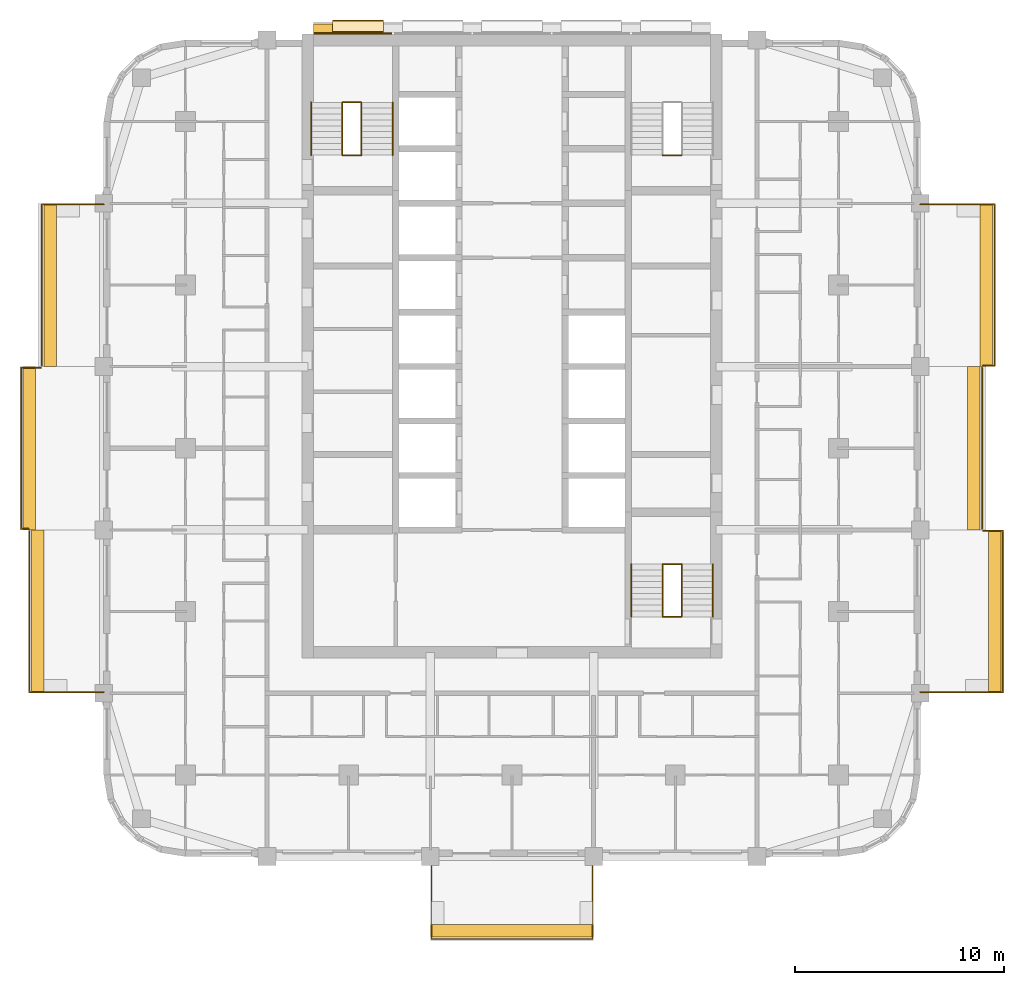
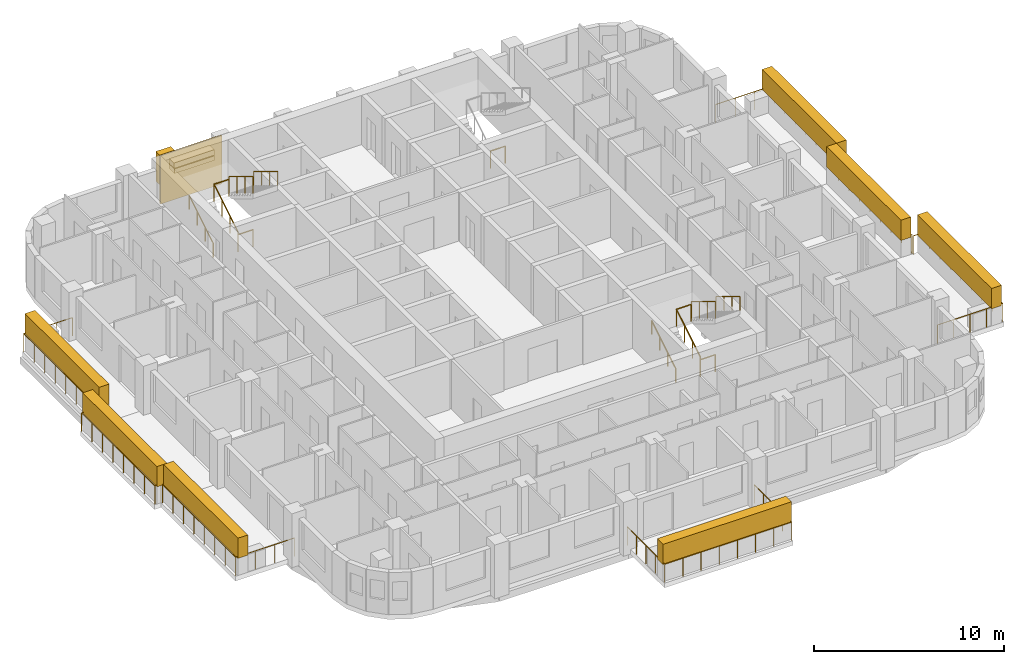
# One storey, part 13 of 14: 20 railings, 11 coverings, 3 elements without a shape of their own.
"""IFC4 building model written with IfcOpenShell, lengths in metres."""

from ifc_helpers import new_model, si_unit, direction, frame, origin, origin_2d, place, context, subcontext, project, spatial, rectangle, circle, extrude, material, layer, layer_set, type_object, element, aggregate, save


model = new_model("IFC4")

# Units and contexts
model_context = context("Model", 3, precision=1e-05, world=origin(), true_north=direction((0.0, 1.0)))
body_context = subcontext(model_context, "Body", "Model", "MODEL_VIEW")
ifc_project = project(units=[si_unit("LENGTHUNIT", "METRE"), si_unit("AREAUNIT", "SQUARE_METRE"), si_unit("VOLUMEUNIT", "CUBIC_METRE"), si_unit("PLANEANGLEUNIT", "RADIAN"), si_unit("MASSUNIT", "GRAM", prefix="KILO")], contexts=[model_context])

# Site, building, storey
site_placement = place(None, origin())
site = spatial("IfcSite", under=ifc_project, at=site_placement, CompositionType="ELEMENT")
building_placement = place(site_placement, origin())
building = spatial("IfcBuilding", under=site, at=building_placement, Name="Ludao Terraces", CompositionType="ELEMENT")
storey_placement = place(building_placement, frame((0.0, 0.0, 99.89990234375)))
storey = spatial("IfcBuildingStorey", under=building, at=storey_placement, Name="L27", CompositionType="ELEMENT", Elevation=99.89990234375)

# Railings
ifc_material_1 = material(Name="Stainless steel 304", Category="steel")
railing_type_1 = type_object("IfcRailingType", Name="ENV Balcony glass guard 1200", PredefinedType="GUARDRAIL", material=ifc_material_1)
railing_1_placement = place(storey_placement, frame((81.14990234375, 45.5, 0.0)))
element("IfcRailing", 1, at=railing_1_placement, inside=storey, type_object=railing_type_1, Name="Balcony guard L27 S1", PredefinedType="GUARDRAIL", context=body_context, shape_type="SweptSolid", body=[
    extrude(circle(Radius=0.02392578125, at=origin_2d()), frame((0.0, 0.0, 1.17578125), z_axis=(0.0, -1.0, 0.0), x_axis=(1.0, 0.0, 0.0)), (0.0, 0.0, 1.0), 3.949951171875),
    extrude(circle(Radius=0.02392578125, at=origin_2d()), frame((0.0, -3.949951171875, 1.17578125), z_axis=(1.0, 0.0, 0.0), x_axis=(0.0, 1.0, 0.0)), (0.0, 0.0, 1.0), 7.7001953125),
    extrude(circle(Radius=0.02392578125, at=origin_2d()), frame((7.7001953125, -3.949951171875, 1.17578125), z_axis=(0.0, 1.0, 0.0), x_axis=(-1.0, 0.0, 0.0)), (0.0, 0.0, 1.0), 3.949951171875),
    extrude(circle(Radius=0.02099609375, at=origin_2d()), origin(), (0.0, 0.0, 1.0), 1.15185546875),
    extrude(circle(Radius=0.02099609375, at=origin_2d()), frame((0.0, -0.987548828125, 0.0)), (0.0, 0.0, 1.0), 1.15185546875),
    extrude(circle(Radius=0.02099609375, at=origin_2d()), frame((0.0, -1.97509765625, 0.0)), (0.0, 0.0, 1.0), 1.15185546875),
    extrude(circle(Radius=0.02099609375, at=origin_2d()), frame((0.0, -2.96240234375, 0.0)), (0.0, 0.0, 1.0), 1.15185546875),
    extrude(circle(Radius=0.02099609375, at=origin_2d()), frame((0.0, -3.949951171875, 0.0)), (0.0, 0.0, 1.0), 1.15185546875),
    extrude(circle(Radius=0.02099609375, at=origin_2d()), frame((1.10009765625, -3.949951171875, 0.0)), (0.0, 0.0, 1.0), 1.15185546875),
    extrude(circle(Radius=0.02099609375, at=origin_2d()), frame((2.199951171875, -3.949951171875, 0.0)), (0.0, 0.0, 1.0), 1.15185546875),
    extrude(circle(Radius=0.02099609375, at=origin_2d()), frame((3.300048828125, -3.949951171875, 0.0)), (0.0, 0.0, 1.0), 1.15185546875),
    extrude(circle(Radius=0.02099609375, at=origin_2d()), frame((4.400146484375, -3.949951171875, 0.0)), (0.0, 0.0, 1.0), 1.15185546875),
    extrude(circle(Radius=0.02099609375, at=origin_2d()), frame((5.500244140625, -3.949951171875, 0.0)), (0.0, 0.0, 1.0), 1.15185546875),
    extrude(circle(Radius=0.02099609375, at=origin_2d()), frame((6.60009765625, -3.949951171875, 0.0)), (0.0, 0.0, 1.0), 1.15185546875),
    extrude(circle(Radius=0.02099609375, at=origin_2d()), frame((7.7001953125, -3.949951171875, 0.0)), (0.0, 0.0, 1.0), 1.15185546875),
    extrude(circle(Radius=0.02099609375, at=origin_2d()), frame((7.7001953125, -2.96240234375, 0.0)), (0.0, 0.0, 1.0), 1.15185546875),
    extrude(circle(Radius=0.02099609375, at=origin_2d()), frame((7.7001953125, -1.97509765625, 0.0)), (0.0, 0.0, 1.0), 1.15185546875),
    extrude(circle(Radius=0.02099609375, at=origin_2d()), frame((7.7001953125, -0.987548828125, 0.0)), (0.0, 0.0, 1.0), 1.15185546875),
    extrude(circle(Radius=0.02099609375, at=origin_2d()), frame((7.7001953125, 0.0, 0.0)), (0.0, 0.0, 1.0), 1.15185546875),
])
railing_2_placement = place(storey_placement, frame((104.5, 53.35009765625, 0.0)))
element("IfcRailing", 2, at=railing_2_placement, inside=storey, type_object=railing_type_1, Name="Balcony guard L27 E1", PredefinedType="GUARDRAIL", context=body_context, shape_type="SweptSolid", body=[
    extrude(circle(Radius=0.02392578125, at=origin_2d()), frame((0.0, 0.0, 1.17578125), z_axis=(1.0, 0.0, 0.0), x_axis=(0.0, 1.0, 0.0)), (0.0, 0.0, 1.0), 3.949951171875),
    extrude(circle(Radius=0.02392578125, at=origin_2d()), frame((3.949951171875, 0.0, 1.17578125), z_axis=(0.0, 1.0, 0.0), x_axis=(-1.0, 0.0, 0.0)), (0.0, 0.0, 1.0), 7.699951171875),
    extrude(circle(Radius=0.02392578125, at=origin_2d()), frame((3.949951171875, 7.699951171875, 1.17578125), z_axis=(-1.0, 0.0, 0.0), x_axis=(0.0, -1.0, 0.0)), (0.0, 0.0, 1.0), 0.949951171875),
    extrude(circle(Radius=0.02099609375, at=origin_2d()), origin(), (0.0, 0.0, 1.0), 1.15185546875),
    extrude(circle(Radius=0.02099609375, at=origin_2d()), frame((0.987548828125, 0.0, 0.0)), (0.0, 0.0, 1.0), 1.15185546875),
    extrude(circle(Radius=0.02099609375, at=origin_2d()), frame((1.97509765625, 0.0, 0.0)), (0.0, 0.0, 1.0), 1.15185546875),
    extrude(circle(Radius=0.02099609375, at=origin_2d()), frame((2.96240234375, 0.0, 0.0)), (0.0, 0.0, 1.0), 1.15185546875),
    extrude(circle(Radius=0.02099609375, at=origin_2d()), frame((3.949951171875, 0.0, 0.0)), (0.0, 0.0, 1.0), 1.15185546875),
    extrude(circle(Radius=0.02099609375, at=origin_2d()), frame((3.949951171875, 1.10009765625, 0.0)), (0.0, 0.0, 1.0), 1.15185546875),
    extrude(circle(Radius=0.02099609375, at=origin_2d()), frame((3.949951171875, 2.199951171875, 0.0)), (0.0, 0.0, 1.0), 1.15185546875),
    extrude(circle(Radius=0.02099609375, at=origin_2d()), frame((3.949951171875, 3.300048828125, 0.0)), (0.0, 0.0, 1.0), 1.15185546875),
    extrude(circle(Radius=0.02099609375, at=origin_2d()), frame((3.949951171875, 4.39990234375, 0.0)), (0.0, 0.0, 1.0), 1.15185546875),
    extrude(circle(Radius=0.02099609375, at=origin_2d()), frame((3.949951171875, 5.5, 0.0)), (0.0, 0.0, 1.0), 1.15185546875),
    extrude(circle(Radius=0.02099609375, at=origin_2d()), frame((3.949951171875, 6.599853515625, 0.0)), (0.0, 0.0, 1.0), 1.15185546875),
    extrude(circle(Radius=0.02099609375, at=origin_2d()), frame((3.949951171875, 7.699951171875, 0.0)), (0.0, 0.0, 1.0), 1.15185546875),
    extrude(circle(Radius=0.02099609375, at=origin_2d()), frame((3.0, 7.699951171875, 0.0)), (0.0, 0.0, 1.0), 1.15185546875),
])
railing_3_placement = place(storey_placement, frame((107.449951171875, 61.14990234375, 0.0)))
element("IfcRailing", 3, at=railing_3_placement, inside=storey, type_object=railing_type_1, Name="Balcony guard L27 E2", PredefinedType="GUARDRAIL", context=body_context, shape_type="SweptSolid", body=[
    extrude(circle(Radius=0.02392578125, at=origin_2d()), frame((0.0, 0.0, 1.17578125), z_axis=(0.0, 1.0, 0.0), x_axis=(-1.0, 0.0, 0.0)), (0.0, 0.0, 1.0), 7.7001953125),
    extrude(circle(Radius=0.02099609375, at=origin_2d()), origin(), (0.0, 0.0, 1.0), 1.15185546875),
    extrude(circle(Radius=0.02099609375, at=origin_2d()), frame((0.0, 1.10009765625, 0.0)), (0.0, 0.0, 1.0), 1.15185546875),
    extrude(circle(Radius=0.02099609375, at=origin_2d()), frame((0.0, 2.199951171875, 0.0)), (0.0, 0.0, 1.0), 1.15185546875),
    extrude(circle(Radius=0.02099609375, at=origin_2d()), frame((0.0, 3.300048828125, 0.0)), (0.0, 0.0, 1.0), 1.15185546875),
    extrude(circle(Radius=0.02099609375, at=origin_2d()), frame((0.0, 4.400146484375, 0.0)), (0.0, 0.0, 1.0), 1.15185546875),
    extrude(circle(Radius=0.02099609375, at=origin_2d()), frame((0.0, 5.500244140625, 0.0)), (0.0, 0.0, 1.0), 1.15185546875),
    extrude(circle(Radius=0.02099609375, at=origin_2d()), frame((0.0, 6.60009765625, 0.0)), (0.0, 0.0, 1.0), 1.15185546875),
    extrude(circle(Radius=0.02099609375, at=origin_2d()), frame((0.0, 7.7001953125, 0.0)), (0.0, 0.0, 1.0), 1.15185546875),
])
railing_4_placement = place(storey_placement, frame((107.5, 68.949951171875, 0.0)))
element("IfcRailing", 4, at=railing_4_placement, inside=storey, type_object=railing_type_1, Name="Balcony guard L27 E3", PredefinedType="GUARDRAIL", context=body_context, shape_type="SweptSolid", body=[
    extrude(circle(Radius=0.02392578125, at=origin_2d()), frame((0.0, 0.0, 1.17578125), z_axis=(1.0, 0.0, 0.0), x_axis=(0.0, 1.0, 0.0)), (0.0, 0.0, 1.0), 0.550048828125),
    extrude(circle(Radius=0.02392578125, at=origin_2d()), frame((0.550048828125, 0.0, 1.17578125), z_axis=(0.0, 1.0, 0.0), x_axis=(-1.0, 0.0, 0.0)), (0.0, 0.0, 1.0), 7.699951171875),
    extrude(circle(Radius=0.02392578125, at=origin_2d()), frame((0.550048828125, 7.699951171875, 1.17578125), z_axis=(-1.0, 0.0, 0.0), x_axis=(0.0, -1.0, 0.0)), (0.0, 0.0, 1.0), 3.550048828125),
    extrude(circle(Radius=0.02099609375, at=origin_2d()), origin(), (0.0, 0.0, 1.0), 1.15185546875),
    extrude(circle(Radius=0.02099609375, at=origin_2d()), frame((0.550048828125, 0.0, 0.0)), (0.0, 0.0, 1.0), 1.15185546875),
    extrude(circle(Radius=0.02099609375, at=origin_2d()), frame((0.550048828125, 1.10009765625, 0.0)), (0.0, 0.0, 1.0), 1.15185546875),
    extrude(circle(Radius=0.02099609375, at=origin_2d()), frame((0.550048828125, 2.199951171875, 0.0)), (0.0, 0.0, 1.0), 1.15185546875),
    extrude(circle(Radius=0.02099609375, at=origin_2d()), frame((0.550048828125, 3.300048828125, 0.0)), (0.0, 0.0, 1.0), 1.15185546875),
    extrude(circle(Radius=0.02099609375, at=origin_2d()), frame((0.550048828125, 4.39990234375, 0.0)), (0.0, 0.0, 1.0), 1.15185546875),
    extrude(circle(Radius=0.02099609375, at=origin_2d()), frame((0.550048828125, 5.5, 0.0)), (0.0, 0.0, 1.0), 1.15185546875),
    extrude(circle(Radius=0.02099609375, at=origin_2d()), frame((0.550048828125, 6.599853515625, 0.0)), (0.0, 0.0, 1.0), 1.15185546875),
    extrude(circle(Radius=0.02099609375, at=origin_2d()), frame((0.550048828125, 7.699951171875, 0.0)), (0.0, 0.0, 1.0), 1.15185546875),
    extrude(circle(Radius=0.02099609375, at=origin_2d()), frame((-0.63330078125, 7.699951171875, 0.0)), (0.0, 0.0, 1.0), 1.15185546875),
    extrude(circle(Radius=0.02099609375, at=origin_2d()), frame((-1.816650390625, 7.699951171875, 0.0)), (0.0, 0.0, 1.0), 1.15185546875),
    extrude(circle(Radius=0.02099609375, at=origin_2d()), frame((-3.0, 7.699951171875, 0.0)), (0.0, 0.0, 1.0), 1.15185546875),
])
railing_5_placement = place(storey_placement, frame((65.5, 53.35009765625, 0.0)))
element("IfcRailing", 5, at=railing_5_placement, inside=storey, type_object=railing_type_1, Name="Balcony guard L27 W1", PredefinedType="GUARDRAIL", context=body_context, shape_type="SweptSolid", body=[
    extrude(circle(Radius=0.02392578125, at=origin_2d()), frame((0.0, 0.0, 1.17578125), z_axis=(-1.0, 0.0, 0.0), x_axis=(0.0, -1.0, 0.0)), (0.0, 0.0, 1.0), 3.550048828125),
    extrude(circle(Radius=0.02392578125, at=origin_2d()), frame((-3.550048828125, 0.0, 1.17578125), z_axis=(0.0, 1.0, 0.0), x_axis=(-1.0, 0.0, 0.0)), (0.0, 0.0, 1.0), 7.699951171875),
    extrude(circle(Radius=0.02099609375, at=origin_2d()), origin(), (0.0, 0.0, 1.0), 1.15185546875),
    extrude(circle(Radius=0.02099609375, at=origin_2d()), frame((-1.183349609375, 0.0, 0.0)), (0.0, 0.0, 1.0), 1.15185546875),
    extrude(circle(Radius=0.02099609375, at=origin_2d()), frame((-2.36669921875, 0.0, 0.0)), (0.0, 0.0, 1.0), 1.15185546875),
    extrude(circle(Radius=0.02099609375, at=origin_2d()), frame((-3.550048828125, 0.0, 0.0)), (0.0, 0.0, 1.0), 1.15185546875),
    extrude(circle(Radius=0.02099609375, at=origin_2d()), frame((-3.550048828125, 1.10009765625, 0.0)), (0.0, 0.0, 1.0), 1.15185546875),
    extrude(circle(Radius=0.02099609375, at=origin_2d()), frame((-3.550048828125, 2.199951171875, 0.0)), (0.0, 0.0, 1.0), 1.15185546875),
    extrude(circle(Radius=0.02099609375, at=origin_2d()), frame((-3.550048828125, 3.300048828125, 0.0)), (0.0, 0.0, 1.0), 1.15185546875),
    extrude(circle(Radius=0.02099609375, at=origin_2d()), frame((-3.550048828125, 4.39990234375, 0.0)), (0.0, 0.0, 1.0), 1.15185546875),
    extrude(circle(Radius=0.02099609375, at=origin_2d()), frame((-3.550048828125, 5.5, 0.0)), (0.0, 0.0, 1.0), 1.15185546875),
    extrude(circle(Radius=0.02099609375, at=origin_2d()), frame((-3.550048828125, 6.599853515625, 0.0)), (0.0, 0.0, 1.0), 1.15185546875),
    extrude(circle(Radius=0.02099609375, at=origin_2d()), frame((-3.550048828125, 7.699951171875, 0.0)), (0.0, 0.0, 1.0), 1.15185546875),
])
railing_6_placement = place(storey_placement, frame((61.89990234375, 61.14990234375, 0.0)))
element("IfcRailing", 6, at=railing_6_placement, inside=storey, type_object=railing_type_1, Name="Balcony guard L27 W2", PredefinedType="GUARDRAIL", context=body_context, shape_type="SweptSolid", body=[
    extrude(circle(Radius=0.02392578125, at=origin_2d()), frame((0.0, 0.0, 1.17578125), z_axis=(-1.0, 0.0, 0.0), x_axis=(0.0, -1.0, 0.0)), (0.0, 0.0, 1.0), 0.349853515625),
    extrude(circle(Radius=0.02392578125, at=origin_2d()), frame((-0.349853515625, 0.0, 1.17578125), z_axis=(0.0, 1.0, 0.0), x_axis=(-1.0, 0.0, 0.0)), (0.0, 0.0, 1.0), 7.7001953125),
    extrude(circle(Radius=0.02392578125, at=origin_2d()), frame((-0.349853515625, 7.7001953125, 1.17578125), z_axis=(1.0, 0.0, 0.0), x_axis=(0.0, 1.0, 0.0)), (0.0, 0.0, 1.0), 0.949951171875),
    extrude(circle(Radius=0.02099609375, at=origin_2d()), origin(), (0.0, 0.0, 1.0), 1.15185546875),
    extrude(circle(Radius=0.02099609375, at=origin_2d()), frame((-0.349853515625, 0.0, 0.0)), (0.0, 0.0, 1.0), 1.15185546875),
    extrude(circle(Radius=0.02099609375, at=origin_2d()), frame((-0.349853515625, 1.10009765625, 0.0)), (0.0, 0.0, 1.0), 1.15185546875),
    extrude(circle(Radius=0.02099609375, at=origin_2d()), frame((-0.349853515625, 2.199951171875, 0.0)), (0.0, 0.0, 1.0), 1.15185546875),
    extrude(circle(Radius=0.02099609375, at=origin_2d()), frame((-0.349853515625, 3.300048828125, 0.0)), (0.0, 0.0, 1.0), 1.15185546875),
    extrude(circle(Radius=0.02099609375, at=origin_2d()), frame((-0.349853515625, 4.400146484375, 0.0)), (0.0, 0.0, 1.0), 1.15185546875),
    extrude(circle(Radius=0.02099609375, at=origin_2d()), frame((-0.349853515625, 5.500244140625, 0.0)), (0.0, 0.0, 1.0), 1.15185546875),
    extrude(circle(Radius=0.02099609375, at=origin_2d()), frame((-0.349853515625, 6.60009765625, 0.0)), (0.0, 0.0, 1.0), 1.15185546875),
    extrude(circle(Radius=0.02099609375, at=origin_2d()), frame((-0.349853515625, 7.7001953125, 0.0)), (0.0, 0.0, 1.0), 1.15185546875),
    extrude(circle(Radius=0.02099609375, at=origin_2d()), frame((0.60009765625, 7.7001953125, 0.0)), (0.0, 0.0, 1.0), 1.15185546875),
])
railing_7_placement = place(storey_placement, frame((62.550048828125, 68.949951171875, 0.0)))
element("IfcRailing", 7, at=railing_7_placement, inside=storey, type_object=railing_type_1, Name="Balcony guard L27 W3", PredefinedType="GUARDRAIL", context=body_context, shape_type="SweptSolid", body=[
    extrude(circle(Radius=0.02392578125, at=origin_2d()), frame((0.0, 0.0, 1.17578125), z_axis=(0.0, 1.0, 0.0), x_axis=(-1.0, 0.0, 0.0)), (0.0, 0.0, 1.0), 7.699951171875),
    extrude(circle(Radius=0.02392578125, at=origin_2d()), frame((0.0, 7.699951171875, 1.17578125), z_axis=(1.0, 0.0, 0.0), x_axis=(0.0, 1.0, 0.0)), (0.0, 0.0, 1.0), 2.949951171875),
    extrude(circle(Radius=0.02099609375, at=origin_2d()), origin(), (0.0, 0.0, 1.0), 1.15185546875),
    extrude(circle(Radius=0.02099609375, at=origin_2d()), frame((0.0, 1.10009765625, 0.0)), (0.0, 0.0, 1.0), 1.15185546875),
    extrude(circle(Radius=0.02099609375, at=origin_2d()), frame((0.0, 2.199951171875, 0.0)), (0.0, 0.0, 1.0), 1.15185546875),
    extrude(circle(Radius=0.02099609375, at=origin_2d()), frame((0.0, 3.300048828125, 0.0)), (0.0, 0.0, 1.0), 1.15185546875),
    extrude(circle(Radius=0.02099609375, at=origin_2d()), frame((0.0, 4.39990234375, 0.0)), (0.0, 0.0, 1.0), 1.15185546875),
    extrude(circle(Radius=0.02099609375, at=origin_2d()), frame((0.0, 5.5, 0.0)), (0.0, 0.0, 1.0), 1.15185546875),
    extrude(circle(Radius=0.02099609375, at=origin_2d()), frame((0.0, 6.599853515625, 0.0)), (0.0, 0.0, 1.0), 1.15185546875),
    extrude(circle(Radius=0.02099609375, at=origin_2d()), frame((0.0, 7.699951171875, 0.0)), (0.0, 0.0, 1.0), 1.15185546875),
    extrude(circle(Radius=0.02099609375, at=origin_2d()), frame((0.9833984375, 7.699951171875, 0.0)), (0.0, 0.0, 1.0), 1.15185546875),
    extrude(circle(Radius=0.02099609375, at=origin_2d()), frame((1.966552734375, 7.699951171875, 0.0)), (0.0, 0.0, 1.0), 1.15185546875),
    extrude(circle(Radius=0.02099609375, at=origin_2d()), frame((2.949951171875, 7.699951171875, 0.0)), (0.0, 0.0, 1.0), 1.15185546875),
])

# Coverings
ifc_material_2 = material(Name="Granite cladding", Category="masonry")
ifc_layer_1 = layer(ifc_material_2, 0.39990234375)
ifc_layer_set_1 = layer_set([ifc_layer_1], Name="ENV Core pilaster stone 400")
covering_type_1 = type_object("IfcCoveringType", Name="ENV Core pilaster stone 400", PredefinedType="CLADDING", material=ifc_layer_set_1)
covering_1_placement = place(storey_placement, frame((75.97509765625, 85.054931640625, 1.2001953125), z_axis=(0.0, 0.0, 1.0), x_axis=(1.0, 0.0, 0.0)))
element("IfcCovering", 8, at=covering_1_placement, inside=storey, type_object=covering_type_1, Name="CC-L27-PIL1", PredefinedType="CLADDING", context=body_context, shape_type="SweptSolid", body=[
    extrude(rectangle(XDim=0.89990234375, YDim=0.39990234375, at=origin_2d()), origin(), (0.0, 0.0, 1.0), 1.89990234375),
])
ifc_layer_2 = layer(ifc_material_2, 0.60009765625)
ifc_layer_set_2 = layer_set([ifc_layer_2], Name="ENV Core planting shelf stone 600")
covering_type_2 = type_object("IfcCoveringType", Name="ENV Core planting shelf stone 600", PredefinedType="CLADDING", material=ifc_layer_set_2)
covering_2_placement = place(storey_placement, frame((77.64501953125, 85.155029296875, 1.60009765625), z_axis=(0.0, 0.0, 1.0), x_axis=(1.0, 0.0, 0.0)))
element("IfcCovering", 9, at=covering_2_placement, inside=storey, type_object=covering_type_2, Name="CC-L27-SHELF1", PredefinedType="CLADDING", context=body_context, shape_type="SweptSolid", body=[
    extrude(rectangle(XDim=2.43994140625, YDim=0.60009765625, at=origin_2d()), origin(), (0.0, 0.0, 1.0), 0.300048828125),
])
ifc_layer_3 = layer(ifc_material_2, 0.080078125)
ifc_layer_set_3 = layer_set([ifc_layer_3], Name="ENV Core stone cladding panel 80")
covering_type_3 = type_object("IfcCoveringType", Name="ENV Core stone cladding panel 80", PredefinedType="CLADDING", material=ifc_layer_set_3)
covering_3_placement = place(storey_placement, frame((77.39501953125, 84.81494140625, 0.0), z_axis=(0.0, 0.0, 1.0), x_axis=(1.0, 0.0, 0.0)))
element("IfcCovering", 10, at=covering_3_placement, inside=storey, type_object=covering_type_3, Name="CC-L27-CORE1", PredefinedType="CLADDING", context=body_context, shape_type="SweptSolid", body=[
    extrude(rectangle(XDim=3.739990234375, YDim=0.080078125, at=origin_2d()), origin(), (0.0, 0.0, 1.0), 3.10009765625),
])
ifc_material_3 = material(Name="Planting")
ifc_layer_4 = layer(ifc_material_3, 0.60009765625)
ifc_layer_set_4 = layer_set([ifc_layer_4], Name="ENV Planting hedge 600x1300")
covering_type_4 = type_object("IfcCoveringType", Name="ENV Planting hedge 600x1300", PredefinedType="USERDEFINED", material=ifc_layer_set_4)
covering_4_placement = place(storey_placement, frame((85.0, 41.949951171875, 1.10009765625), z_axis=(0.0, 0.0, 1.0), x_axis=(1.0, 0.0, 0.0)))
element("IfcCovering", 11, at=covering_4_placement, inside=storey, type_object=covering_type_4, Name="Planting hedge L27-S1", ObjectType="PLANTING", PredefinedType="USERDEFINED", context=body_context, shape_type="SweptSolid", body=[
    extrude(rectangle(XDim=7.800048828125, YDim=0.60009765625, at=origin_2d()), origin(), (0.0, 0.0, 1.0), 1.300048828125),
])
for number, where, z_axis, x_axis, name in (
    (12, (108.050048828125, 57.199951171875, 1.10009765625), (0.0, 0.0, 1.0), (1.0, 0.0, 0.0), "Planting hedge L27-E1"),
    (13, (107.050048828125, 65.0, 1.10009765625), (0.0, 0.0, 1.0), (1.0, 0.0, 0.0), "Planting hedge L27-E2"),
    (14, (107.64990234375, 72.800048828125, 1.10009765625), (0.0, 0.0, 1.0), (1.0, 0.0, 0.0), "Planting hedge L27-E3"),
    (15, (62.35009765625, 57.199951171875, 1.10009765625), (0.0, 0.0, 1.0), (1.0, 0.0, 0.0), "Planting hedge L27-W1"),
    (16, (61.949951171875, 65.0, 1.10009765625), (0.0, 0.0, 1.0), (1.0, 0.0, 0.0), "Planting hedge L27-W2"),
    (17, (62.949951171875, 72.800048828125, 1.10009765625), (0.0, 0.0, 1.0), (1.0, 0.0, 0.0), "Planting hedge L27-W3"),
):
    element("IfcCovering", number, at=place(storey_placement, frame(where, z_axis=z_axis, x_axis=x_axis)), inside=storey, type_object=covering_type_4, Name=name, ObjectType="PLANTING", PredefinedType="USERDEFINED", context=body_context, shape_type="SweptSolid", body=[
        extrude(rectangle(XDim=0.60009765625, YDim=7.800048828125, at=origin_2d()), origin(), (0.0, 0.0, 1.0), 1.300048828125),
    ])
ifc_layer_5 = layer(ifc_material_3, 0.5)
ifc_layer_set_5 = layer_set([ifc_layer_5], Name="ENV Shelf planting bed 350")
covering_type_5 = type_object("IfcCoveringType", Name="ENV Shelf planting bed 350", PredefinedType="USERDEFINED", material=ifc_layer_set_5)
covering_5_placement = place(storey_placement, frame((77.64501953125, 85.155029296875, 1.900146484375), z_axis=(0.0, 0.0, 1.0), x_axis=(1.0, 0.0, 0.0)))
element("IfcCovering", 18, at=covering_5_placement, inside=storey, type_object=covering_type_5, Name="Shelf planting bed L27 1", ObjectType="PLANTING", PredefinedType="USERDEFINED", context=body_context, shape_type="SweptSolid", body=[
    extrude(rectangle(XDim=2.43994140625, YDim=0.5, at=origin_2d()), origin(), (0.0, 0.0, 1.0), 0.35009765625),
])

# Stair, railings
ifc_material_4 = material(Name="Concrete C40", Category="concrete")
stair_type = type_object("IfcStairType", Name="INT Stair", PredefinedType="HALF_TURN_STAIR", material=ifc_material_4)
stair_1_placement = place(storey_placement, origin())
stair_1 = element("IfcStair", 19, at=stair_1_placement, inside=storey, type_object=stair_type, Name="EXIT STAIR 1", PredefinedType="HALF_TURN_STAIR")
railing_type_2 = type_object("IfcRailingType", Name="INT Stair guard 1100", PredefinedType="GUARDRAIL", material=ifc_material_1)
railing_8_placement = place(storey_placement, frame((76.89990234375, 79.0, 0.170166015625)))
railing_8 = element("IfcRailing", 20, at=railing_8_placement, type_object=railing_type_2, Name="ST-L27-S1-R1G", PredefinedType="GUARDRAIL", context=body_context, shape_type="SweptSolid", body=[
    extrude(circle(Radius=0.02392578125, at=origin_2d()), frame((0.0, 0.0, 1.076171875), z_axis=(0.0, 0.85478489116, 0.518982456201), x_axis=(-1.0, 0.0, 0.0)), (0.0, 0.0, 1.0), 2.9482421875),
    extrude(circle(Radius=0.02099609375, at=origin_2d()), origin(), (0.0, 0.0, 1.0), 1.052001953125),
    extrude(circle(Radius=0.02099609375, at=origin_2d()), frame((0.0, 0.840087890625, 0.510009765625)), (0.0, 0.0, 1.0), 1.052001953125),
    extrude(circle(Radius=0.02099609375, at=origin_2d()), frame((0.0, 1.679931640625, 1.02001953125)), (0.0, 0.0, 1.0), 1.052001953125),
    extrude(circle(Radius=0.02099609375, at=origin_2d()), frame((0.0, 2.52001953125, 1.530029296875)), (0.0, 0.0, 1.0), 1.052001953125),
])
railing_9_placement = place(storey_placement, frame((77.800048828125, 81.52001953125, 1.8701171875)))
railing_9 = element("IfcRailing", 21, at=railing_9_placement, type_object=railing_type_2, Name="ST-L27-S1-R2G", PredefinedType="GUARDRAIL", context=body_context, shape_type="SweptSolid", body=[
    extrude(circle(Radius=0.02392578125, at=origin_2d()), frame((0.0, 0.0, 1.076171875), z_axis=(0.0, -0.85478489116, 0.518982456201), x_axis=(1.0, 0.0, 0.0)), (0.0, 0.0, 1.0), 2.9482421875),
    extrude(circle(Radius=0.02099609375, at=origin_2d()), origin(), (0.0, 0.0, 1.0), 1.052001953125),
    extrude(circle(Radius=0.02099609375, at=origin_2d()), frame((0.0, -0.840087890625, 0.510009765625)), (0.0, 0.0, 1.0), 1.052001953125),
    extrude(circle(Radius=0.02099609375, at=origin_2d()), frame((0.0, -1.679931640625, 1.02001953125)), (0.0, 0.0, 1.0), 1.052001953125),
    extrude(circle(Radius=0.02099609375, at=origin_2d()), frame((0.0, -2.52001953125, 1.530029296875)), (0.0, 0.0, 1.0), 1.052001953125),
])
railing_10_placement = place(storey_placement, frame((76.89990234375, 81.52001953125, 1.7001953125)))
railing_10 = element("IfcRailing", 22, at=railing_10_placement, type_object=railing_type_2, Name="ST-L27-S1-E1G", PredefinedType="GUARDRAIL", context=body_context, shape_type="SweptSolid", body=[
    extrude(circle(Radius=0.02392578125, at=origin_2d()), frame((0.0, 0.0, 1.076171875), z_axis=(1.0, 0.0, 0.0), x_axis=(0.0, 1.0, 0.0)), (0.0, 0.0, 1.0), 0.900146484375),
    extrude(circle(Radius=0.02099609375, at=origin_2d()), origin(), (0.0, 0.0, 1.0), 1.052001953125),
    extrude(circle(Radius=0.02099609375, at=origin_2d()), frame((0.900146484375, 0.0, 0.0)), (0.0, 0.0, 1.0), 1.052001953125),
])
railing_11_placement = place(storey_placement, frame((76.89990234375, 79.0, 0.0)))
railing_11 = element("IfcRailing", 23, at=railing_11_placement, type_object=railing_type_2, Name="ST-L27-S1-E2G", PredefinedType="GUARDRAIL", context=body_context, shape_type="SweptSolid", body=[
    extrude(circle(Radius=0.02392578125, at=origin_2d()), frame((0.0, 0.0, 1.076171875), z_axis=(1.0, 0.0, 0.0), x_axis=(0.0, 1.0, 0.0)), (0.0, 0.0, 1.0), 0.900146484375),
    extrude(circle(Radius=0.02099609375, at=origin_2d()), origin(), (0.0, 0.0, 1.0), 1.052001953125),
    extrude(circle(Radius=0.02099609375, at=origin_2d()), frame((0.900146484375, 0.0, 0.0)), (0.0, 0.0, 1.0), 1.052001953125),
])

# Stair, railing
stair_2_placement = place(storey_placement, origin())
stair_2 = element("IfcStair", 24, at=stair_2_placement, inside=storey, type_object=stair_type, Name="EXIT STAIR 2", PredefinedType="HALF_TURN_STAIR")
railing_12_placement = place(storey_placement, frame((92.199951171875, 79.0, 0.0)))
railing_12 = element("IfcRailing", 25, at=railing_12_placement, type_object=railing_type_2, Name="ST-L27-S2-E2G", PredefinedType="GUARDRAIL", context=body_context, shape_type="SweptSolid", body=[
    extrude(circle(Radius=0.02392578125, at=origin_2d()), frame((0.0, 0.0, 1.076171875), z_axis=(1.0, 0.0, 0.0), x_axis=(0.0, 1.0, 0.0)), (0.0, 0.0, 1.0), 0.900146484375),
    extrude(circle(Radius=0.02099609375, at=origin_2d()), origin(), (0.0, 0.0, 1.0), 1.052001953125),
    extrude(circle(Radius=0.02099609375, at=origin_2d()), frame((0.900146484375, 0.0, 0.0)), (0.0, 0.0, 1.0), 1.052001953125),
])
aggregate(stair_2, [railing_12])

# Stair, railings
stair_3_placement = place(storey_placement, origin())
stair_3 = element("IfcStair", 26, at=stair_3_placement, inside=storey, type_object=stair_type, Name="EXIT STAIR 3", PredefinedType="HALF_TURN_STAIR")
railing_13_placement = place(storey_placement, frame((92.199951171875, 56.949951171875, 0.170166015625)))
railing_13 = element("IfcRailing", 27, at=railing_13_placement, type_object=railing_type_2, Name="ST-L27-S3-R1G", PredefinedType="GUARDRAIL", context=body_context, shape_type="SweptSolid", body=[
    extrude(circle(Radius=0.02392578125, at=origin_2d()), frame((0.0, 0.0, 1.076171875), z_axis=(0.0, 0.85478489116, 0.518982456201), x_axis=(-1.0, 0.0, 0.0)), (0.0, 0.0, 1.0), 2.9482421875),
    extrude(circle(Radius=0.02099609375, at=origin_2d()), origin(), (0.0, 0.0, 1.0), 1.052001953125),
    extrude(circle(Radius=0.02099609375, at=origin_2d()), frame((0.0, 0.840087890625, 0.510009765625)), (0.0, 0.0, 1.0), 1.052001953125),
    extrude(circle(Radius=0.02099609375, at=origin_2d()), frame((0.0, 1.679931640625, 1.02001953125)), (0.0, 0.0, 1.0), 1.052001953125),
    extrude(circle(Radius=0.02099609375, at=origin_2d()), frame((0.0, 2.52001953125, 1.530029296875)), (0.0, 0.0, 1.0), 1.052001953125),
])
railing_14_placement = place(storey_placement, frame((93.10009765625, 59.469970703125, 1.8701171875)))
railing_14 = element("IfcRailing", 28, at=railing_14_placement, type_object=railing_type_2, Name="ST-L27-S3-R2G", PredefinedType="GUARDRAIL", context=body_context, shape_type="SweptSolid", body=[
    extrude(circle(Radius=0.02392578125, at=origin_2d()), frame((0.0, 0.0, 1.076171875), z_axis=(0.0, -0.85478489116, 0.518982456201), x_axis=(1.0, 0.0, 0.0)), (0.0, 0.0, 1.0), 2.9482421875),
    extrude(circle(Radius=0.02099609375, at=origin_2d()), origin(), (0.0, 0.0, 1.0), 1.052001953125),
    extrude(circle(Radius=0.02099609375, at=origin_2d()), frame((0.0, -0.840087890625, 0.510009765625)), (0.0, 0.0, 1.0), 1.052001953125),
    extrude(circle(Radius=0.02099609375, at=origin_2d()), frame((0.0, -1.679931640625, 1.02001953125)), (0.0, 0.0, 1.0), 1.052001953125),
    extrude(circle(Radius=0.02099609375, at=origin_2d()), frame((0.0, -2.52001953125, 1.530029296875)), (0.0, 0.0, 1.0), 1.052001953125),
])
railing_15_placement = place(storey_placement, frame((92.199951171875, 59.469970703125, 1.7001953125)))
railing_15 = element("IfcRailing", 29, at=railing_15_placement, type_object=railing_type_2, Name="ST-L27-S3-E1G", PredefinedType="GUARDRAIL", context=body_context, shape_type="SweptSolid", body=[
    extrude(circle(Radius=0.02392578125, at=origin_2d()), frame((0.0, 0.0, 1.076171875), z_axis=(1.0, 0.0, 0.0), x_axis=(0.0, 1.0, 0.0)), (0.0, 0.0, 1.0), 0.900146484375),
    extrude(circle(Radius=0.02099609375, at=origin_2d()), origin(), (0.0, 0.0, 1.0), 1.052001953125),
    extrude(circle(Radius=0.02099609375, at=origin_2d()), frame((0.900146484375, 0.0, 0.0)), (0.0, 0.0, 1.0), 1.052001953125),
])
railing_16_placement = place(storey_placement, frame((92.199951171875, 56.949951171875, 0.0)))
railing_16 = element("IfcRailing", 30, at=railing_16_placement, type_object=railing_type_2, Name="ST-L27-S3-E2G", PredefinedType="GUARDRAIL", context=body_context, shape_type="SweptSolid", body=[
    extrude(circle(Radius=0.02392578125, at=origin_2d()), frame((0.0, 0.0, 1.076171875), z_axis=(1.0, 0.0, 0.0), x_axis=(0.0, 1.0, 0.0)), (0.0, 0.0, 1.0), 0.900146484375),
    extrude(circle(Radius=0.02099609375, at=origin_2d()), origin(), (0.0, 0.0, 1.0), 1.052001953125),
    extrude(circle(Radius=0.02099609375, at=origin_2d()), frame((0.900146484375, 0.0, 0.0)), (0.0, 0.0, 1.0), 1.052001953125),
])

# Railing
railing_type_3 = type_object("IfcRailingType", Name="INT Stair handrail 900", PredefinedType="HANDRAIL", material=ifc_material_1)
railing_17_placement = place(storey_placement, frame((75.39990234375, 79.0, 0.170166015625)))
railing_17 = element("IfcRailing", 31, at=railing_17_placement, type_object=railing_type_3, Name="ST-L27-S1-R1H", PredefinedType="HANDRAIL", context=body_context, shape_type="SweptSolid", body=[
    extrude(circle(Radius=0.02392578125, at=origin_2d()), frame((0.0, 0.0, 0.8759765625), z_axis=(0.0, 0.85478489116, 0.518982456201), x_axis=(-1.0, 0.0, 0.0)), (0.0, 0.0, 1.0), 2.9482421875),
    extrude(circle(Radius=0.02099609375, at=origin_2d()), origin(), (0.0, 0.0, 1.0), 0.851806640625),
    extrude(circle(Radius=0.02099609375, at=origin_2d()), frame((0.0, 0.840087890625, 0.510009765625)), (0.0, 0.0, 1.0), 0.851806640625),
    extrude(circle(Radius=0.02099609375, at=origin_2d()), frame((0.0, 1.679931640625, 1.02001953125)), (0.0, 0.0, 1.0), 0.851806640625),
    extrude(circle(Radius=0.02099609375, at=origin_2d()), frame((0.0, 2.52001953125, 1.530029296875)), (0.0, 0.0, 1.0), 0.851806640625),
])

railing_18_placement = place(storey_placement, frame((79.300048828125, 81.52001953125, 1.8701171875)))
railing_18 = element("IfcRailing", 32, at=railing_18_placement, type_object=railing_type_3, Name="ST-L27-S1-R2H", PredefinedType="HANDRAIL", context=body_context, shape_type="SweptSolid", body=[
    extrude(circle(Radius=0.02392578125, at=origin_2d()), frame((0.0, 0.0, 0.8759765625), z_axis=(0.0, -0.85478489116, 0.518982456201), x_axis=(1.0, 0.0, 0.0)), (0.0, 0.0, 1.0), 2.9482421875),
    extrude(circle(Radius=0.02099609375, at=origin_2d()), origin(), (0.0, 0.0, 1.0), 0.851806640625),
    extrude(circle(Radius=0.02099609375, at=origin_2d()), frame((0.0, -0.840087890625, 0.510009765625)), (0.0, 0.0, 1.0), 0.851806640625),
    extrude(circle(Radius=0.02099609375, at=origin_2d()), frame((0.0, -1.679931640625, 1.02001953125)), (0.0, 0.0, 1.0), 0.851806640625),
    extrude(circle(Radius=0.02099609375, at=origin_2d()), frame((0.0, -2.52001953125, 1.530029296875)), (0.0, 0.0, 1.0), 0.851806640625),
])

aggregate(stair_1, [railing_8, railing_17, railing_9, railing_18, railing_10, railing_11])

railing_19_placement = place(storey_placement, frame((90.699951171875, 56.949951171875, 0.170166015625)))
railing_19 = element("IfcRailing", 33, at=railing_19_placement, type_object=railing_type_3, Name="ST-L27-S3-R1H", PredefinedType="HANDRAIL", context=body_context, shape_type="SweptSolid", body=[
    extrude(circle(Radius=0.02392578125, at=origin_2d()), frame((0.0, 0.0, 0.8759765625), z_axis=(0.0, 0.85478489116, 0.518982456201), x_axis=(-1.0, 0.0, 0.0)), (0.0, 0.0, 1.0), 2.9482421875),
    extrude(circle(Radius=0.02099609375, at=origin_2d()), origin(), (0.0, 0.0, 1.0), 0.851806640625),
    extrude(circle(Radius=0.02099609375, at=origin_2d()), frame((0.0, 0.840087890625, 0.510009765625)), (0.0, 0.0, 1.0), 0.851806640625),
    extrude(circle(Radius=0.02099609375, at=origin_2d()), frame((0.0, 1.679931640625, 1.02001953125)), (0.0, 0.0, 1.0), 0.851806640625),
    extrude(circle(Radius=0.02099609375, at=origin_2d()), frame((0.0, 2.52001953125, 1.530029296875)), (0.0, 0.0, 1.0), 0.851806640625),
])

railing_20_placement = place(storey_placement, frame((94.60009765625, 59.469970703125, 1.8701171875)))
railing_20 = element("IfcRailing", 34, at=railing_20_placement, type_object=railing_type_3, Name="ST-L27-S3-R2H", PredefinedType="HANDRAIL", context=body_context, shape_type="SweptSolid", body=[
    extrude(circle(Radius=0.02392578125, at=origin_2d()), frame((0.0, 0.0, 0.8759765625), z_axis=(0.0, -0.85478489116, 0.518982456201), x_axis=(1.0, 0.0, 0.0)), (0.0, 0.0, 1.0), 2.9482421875),
    extrude(circle(Radius=0.02099609375, at=origin_2d()), origin(), (0.0, 0.0, 1.0), 0.851806640625),
    extrude(circle(Radius=0.02099609375, at=origin_2d()), frame((0.0, -0.840087890625, 0.510009765625)), (0.0, 0.0, 1.0), 0.851806640625),
    extrude(circle(Radius=0.02099609375, at=origin_2d()), frame((0.0, -1.679931640625, 1.02001953125)), (0.0, 0.0, 1.0), 0.851806640625),
    extrude(circle(Radius=0.02099609375, at=origin_2d()), frame((0.0, -2.52001953125, 1.530029296875)), (0.0, 0.0, 1.0), 0.851806640625),
])

aggregate(stair_3, [railing_13, railing_19, railing_14, railing_20, railing_15, railing_16])

save(model, "model.ifc")
